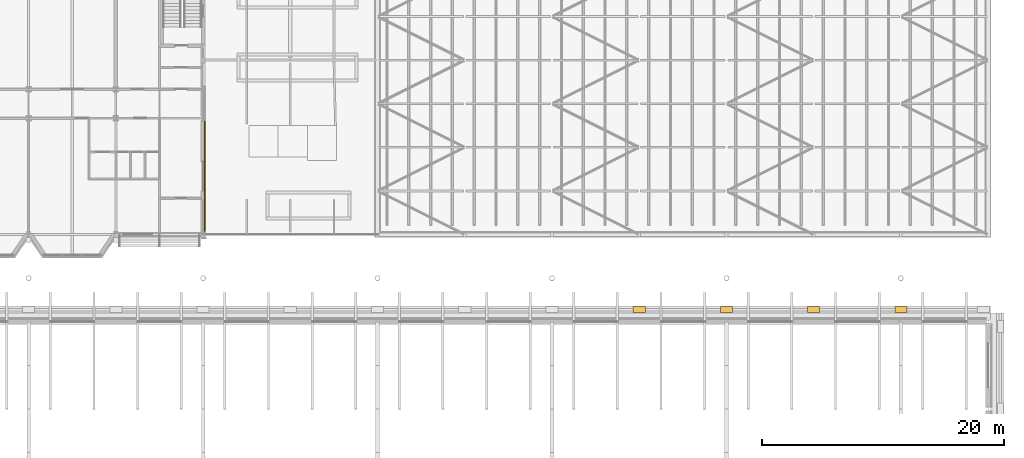
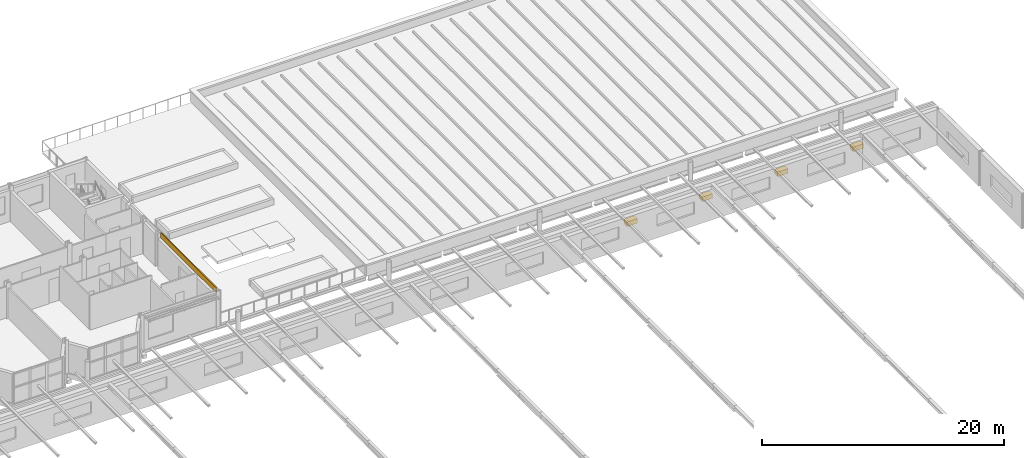
# One storey, part 106 of 110: 5 coverings.
"""IFC4 building model written with IfcOpenShell, lengths in metres."""

import ifcopenshell
import ifcopenshell.guid

model = None  # the IFC model being written
_history = None  # IfcOwnerHistory: only IFC2X3 demands one
_inside = {}  # id of a spatial element -> (the spatial element, [elements in it])
_under = {}  # id of a project, library or spatial element -> (it, [spatial elements below it])
_declared = {}  # id of a project -> (the project, [libraries it declares])
_typed = {}  # id of a type object -> (the type object, [elements of that type])
_made_of = {}  # id of a material, layer set ... -> (it, [elements and type objects made of it])


def new_model(schema):
    """Start an empty IFC model of exactly this schema.

    Asked for "IFC4X3", IfcOpenShell would pick the latest addendum, in which some entities
    have other attributes; the version numbers below select the first issue.
    IFC2X3 requires an IfcOwnerHistory on every rooted entity: one is made here for all.
    """
    global model, _history
    if schema == "IFC4X3":
        model = ifcopenshell.file(schema_version=(4, 3, 0, 0))
    else:
        model = ifcopenshell.file(schema=schema)
    _inside.clear()
    _under.clear()
    _declared.clear()
    _typed.clear()
    _made_of.clear()
    _history = None
    if model.schema == "IFC2X3":
        org = make("IfcOrganization", Name="unknown")
        user = make(
            "IfcPersonAndOrganization",
            ThePerson=make("IfcPerson", FamilyName="unknown"),
            TheOrganization=org,
        )
        app = make(
            "IfcApplication",
            ApplicationDeveloper=org,
            Version="unknown",
            ApplicationFullName="unknown",
            ApplicationIdentifier="unknown",
        )
        _history = make(
            "IfcOwnerHistory",
            OwningUser=user,
            OwningApplication=app,
            ChangeAction="ADDED",
            CreationDate=0,
        )
    return model


def make(cls, **values):
    """One entity of the class cls with the attributes given. An attribute that is None is left unset."""
    return model.create_entity(
        cls, **{name: value for name, value in values.items() if value is not None}
    )


def rooted(cls, **values):
    """An entity with a GlobalId (a new one), such as an element, a storey or a relation."""
    return make(cls, GlobalId=ifcopenshell.guid.new(), OwnerHistory=_history, **values)


def si_unit(unit_type, name, prefix=None):
    """IfcSIUnit, for example si_unit("LENGTHUNIT", "METRE", prefix="MILLI")."""
    return make("IfcSIUnit", UnitType=unit_type, Prefix=prefix, Name=name)


def assignment(units):
    """IfcUnitAssignment: the units of a project."""
    return None if units is None else make("IfcUnitAssignment", Units=units)


def point(xyz):
    """IfcCartesianPoint."""
    return None if xyz is None else make("IfcCartesianPoint", Coordinates=xyz)


def direction(xyz):
    """IfcDirection."""
    return None if xyz is None else make("IfcDirection", DirectionRatios=xyz)


def frame(location, z_axis=None, x_axis=None):
    """IfcAxis2Placement3D, a coordinate frame: its origin and axes. An axis left out is left unset."""
    return make(
        "IfcAxis2Placement3D",
        Location=point(location),
        Axis=direction(z_axis),
        RefDirection=direction(x_axis),
    )


def frame_2d(location, x_axis=None):
    """IfcAxis2Placement2D, a coordinate frame in the plane: its origin and x axis."""
    return make(
        "IfcAxis2Placement2D", Location=point(location), RefDirection=direction(x_axis)
    )


def origin():
    """The frame at (0, 0, 0) with its axes left unset."""
    return frame((0.0, 0.0, 0.0))


def origin_2d():
    """The frame at (0, 0) in the plane with its x axis left unset."""
    return frame_2d((0.0, 0.0))


def place(relative_to, where):
    """IfcLocalPlacement: puts the frame where relative to a parent placement (None: the world)."""
    return make(
        "IfcLocalPlacement", PlacementRelTo=relative_to, RelativePlacement=where
    )


def context(
    kind, dimensions, precision=None, world=None, true_north=None, identifier=None
):
    """IfcGeometricRepresentationContext, for example the 3D "Model" context."""
    return make(
        "IfcGeometricRepresentationContext",
        ContextIdentifier=identifier,
        ContextType=kind,
        CoordinateSpaceDimension=dimensions,
        Precision=precision,
        WorldCoordinateSystem=world,
        TrueNorth=true_north,
    )


def subcontext(parent, identifier, kind, view, scale=None):
    """IfcGeometricRepresentationSubContext, for example "Body" below "Model"."""
    return make(
        "IfcGeometricRepresentationSubContext",
        ContextIdentifier=identifier,
        ContextType=kind,
        ParentContext=parent,
        TargetScale=scale,
        TargetView=view,
    )


def project(units=None, contexts=None):
    """IfcProject with its units and contexts."""
    return rooted(
        "IfcProject",
        Name="project",
        RepresentationContexts=contexts,
        UnitsInContext=assignment(units),
    )


def spatial(cls, under=None, at=None, **own):
    """A site, building, storey or space (cls), placed at a placement, below another one or the project."""
    s = rooted(cls, ObjectPlacement=at, **own)
    if under is not None:
        _under.setdefault(under.id(), (under, []))[1].append(s)
    return s


def profile(cls, at=None, kind="AREA", **sizes):
    """A parametric profile (cls). Its sizes go by their IFC names, for example OverallWidth=200.0."""
    return make(cls, ProfileType=kind, Position=at, **sizes)


def rectangle(**sizes):
    """IfcRectangleProfileDef."""
    return profile("IfcRectangleProfileDef", **sizes)


def extrude(swept, where, along, depth):
    """IfcExtrudedAreaSolid: the profile swept, set in the frame where, extruded along a direction by depth."""
    return make(
        "IfcExtrudedAreaSolid",
        SweptArea=swept,
        Position=where,
        ExtrudedDirection=direction(along),
        Depth=depth,
    )


def shape(context_of_items, identifier, shape_type, items):
    """IfcShapeRepresentation: the items that make up one representation, for example the "Body"."""
    return make(
        "IfcShapeRepresentation",
        ContextOfItems=context_of_items,
        RepresentationIdentifier=identifier,
        RepresentationType=shape_type,
        Items=items,
    )


def material(Name=None, Category=None):
    """IfcMaterial."""
    return make("IfcMaterial", Name=Name, Category=Category)


def layer(
    of_material, thickness, ventilated=None, Name=None, Category=None, Priority=None
):
    """IfcMaterialLayer: one layer of a wall or slab, of a material (None: an air gap)."""
    return make(
        "IfcMaterialLayer",
        Material=of_material,
        LayerThickness=thickness,
        IsVentilated=ventilated,
        Name=Name,
        Category=Category,
        Priority=Priority,
    )


def layer_set(layers, Name=None):
    """IfcMaterialLayerSet."""
    return make("IfcMaterialLayerSet", MaterialLayers=layers, LayerSetName=Name)


def made_of(thing, what):
    """Note that an element or type object is made of a material, layer set ...; save() writes the relation."""
    if what is not None:
        _made_of.setdefault(what.id(), (what, []))[1].append(thing)
    return thing


def type_object(cls, material=None, **own):
    """A type object (cls), such as IfcWallType, which elements share."""
    return made_of(rooted(cls, **own), material)


def element(
    cls,
    number,
    at=None,
    inside=None,
    cuts=None,
    type_object=None,
    material=None,
    context=None,
    identifier="Body",
    shape_type=None,
    held_by="IfcProductDefinitionShape",
    body=None,
    shapes=None,
    **own,
):
    """One element of the class cls, such as IfcWall. Its Tag is "e" and its number.

    at: its placement. inside: the storey or other place that contains it. cuts: it is an
    opening in that element (IfcRelVoidsElement). A single representation is given by context,
    identifier, shape_type and body (its items); several are given by shapes. held_by: the class
    of the entity that holds the representations. save() writes the other relations.
    """
    e = rooted(cls, Tag="e%d" % number, ObjectPlacement=at, **own)
    if body is not None:
        shapes = [shape(context, identifier, shape_type, body)]
    if shapes is not None:
        e.Representation = make(held_by, Representations=shapes)
    if inside is not None:
        _inside.setdefault(inside.id(), (inside, []))[1].append(e)
    if cuts is not None:
        rooted(
            "IfcRelVoidsElement", RelatingBuildingElement=cuts, RelatedOpeningElement=e
        )
    if type_object is not None:
        _typed.setdefault(type_object.id(), (type_object, []))[1].append(e)
    return made_of(e, material)


def aggregate(whole, parts):
    """IfcRelAggregates: a whole, such as a stair, and the parts it consists of."""
    return rooted("IfcRelAggregates", RelatingObject=whole, RelatedObjects=parts)


def save(model, path):
    """Write the relations noted so far, then the file.

    IfcRelAggregates (storeys below a building ...), IfcRelContainedInSpatialStructure (elements
    in a storey), IfcRelDefinesByType, IfcRelAssociatesMaterial and IfcRelDeclares: one each for
    every whole, place, type object, material and project.
    """
    for whole, parts in _under.values():
        aggregate(whole, parts)
    for where, things in _inside.values():
        rooted(
            "IfcRelContainedInSpatialStructure",
            RelatedElements=things,
            RelatingStructure=where,
        )
    for kind, things in _typed.values():
        rooted("IfcRelDefinesByType", RelatedObjects=things, RelatingType=kind)
    for what, things in _made_of.values():
        rooted("IfcRelAssociatesMaterial", RelatedObjects=things, RelatingMaterial=what)
    for by, libraries in _declared.values():
        rooted("IfcRelDeclares", RelatingContext=by, RelatedDefinitions=libraries)
    model.write(path)


model = new_model("IFC4")

# Units and contexts
model_context = context("Model", 3, precision=1e-05, world=origin(), true_north=direction((0.0, 1.0)))
body_context = subcontext(model_context, "Body", "Model", "MODEL_VIEW")
ifc_project = project(units=[si_unit("LENGTHUNIT", "METRE"), si_unit("AREAUNIT", "SQUARE_METRE"), si_unit("VOLUMEUNIT", "CUBIC_METRE"), si_unit("PLANEANGLEUNIT", "RADIAN"), si_unit("MASSUNIT", "GRAM", prefix="KILO")], contexts=[model_context])

# Site, building, storey
site_placement = place(None, origin())
site = spatial("IfcSite", under=ifc_project, at=site_placement, CompositionType="ELEMENT")
building_placement = place(site_placement, origin())
building = spatial("IfcBuilding", under=site, at=building_placement, Name="Kupolbacken Congress Centre", CompositionType="ELEMENT")
storey_placement = place(building_placement, frame((0.0, 0.0, 18.0)))
storey = spatial("IfcBuildingStorey", under=building, at=storey_placement, Name="L05", CompositionType="ELEMENT", Elevation=18.0)

# Coverings
ifc_material_1 = material(Name="Limestone cladding", Category="masonry")
ifc_layer_1 = layer(ifc_material_1, 0.1201171875)
ifc_layer_set_1 = layer_set([ifc_layer_1], Name="Limestone cladding")
covering_type_1 = type_object("IfcCoveringType", Name="CV1 limestone cladding band 120", PredefinedType="CLADDING", material=ifc_layer_set_1)
covering_placement = place(storey_placement, frame((136.927490234375, 127.199951171875, 3.06005859375), z_axis=(0.0, 0.0, 1.0), x_axis=(0.0, 1.0, 0.0)))
element("IfcCovering", 1, at=covering_placement, inside=storey, type_object=covering_type_1, Name="E/T/E/L05/061/band", PredefinedType="CLADDING", context=body_context, shape_type="SweptSolid", body=[
    extrude(rectangle(XDim=9.14990234375, YDim=0.0849609375, at=origin_2d()), origin(), (0.0, 0.0, 1.0), 0.5400390625),
])
ifc_material_2 = material(Name="Limestone cladding", Category="masonry")
ifc_layer_2 = layer(ifc_material_2, 0.5)
ifc_layer_set_2 = layer_set([ifc_layer_2], Name="Limestone cladding")
covering_type_2 = type_object("IfcCoveringType", Name="CV8 limestone drum pier 500", PredefinedType="CLADDING", material=ifc_layer_set_2)
for number, where, z_axis, x_axis, name in (
    (2, (172.800048828125, 116.2099609375, 1.38525390625), (0.0, 0.0, 1.0), (1.0, 0.0, 0.0), "F/HR/H/N/cap/12-0/0"),
    (3, (180.0, 116.2099609375, 1.38525390625), (0.0, 0.0, 1.0), (1.0, 0.0, 0.0), "F/HR/H/N/cap/13-0/0"),
    (4, (187.199951171875, 116.2099609375, 1.38525390625), (0.0, 0.0, 1.0), (1.0, 0.0, 0.0), "F/HR/H/N/cap/14-0/0"),
    (5, (194.39990234375, 116.2099609375, 1.38525390625), (0.0, 0.0, 1.0), (1.0, 0.0, 0.0), "F/HR/H/N/cap/15-0/0"),
):
    element("IfcCovering", number, at=place(storey_placement, frame(where, z_axis=z_axis, x_axis=x_axis)), inside=storey, type_object=covering_type_2, Name=name, PredefinedType="CLADDING", context=body_context, shape_type="SweptSolid", body=[
        extrude(rectangle(XDim=1.0, YDim=0.5, at=origin_2d()), origin(), (0.0, 0.0, 1.0), 0.449951171875),
    ])

save(model, "model.ifc")
